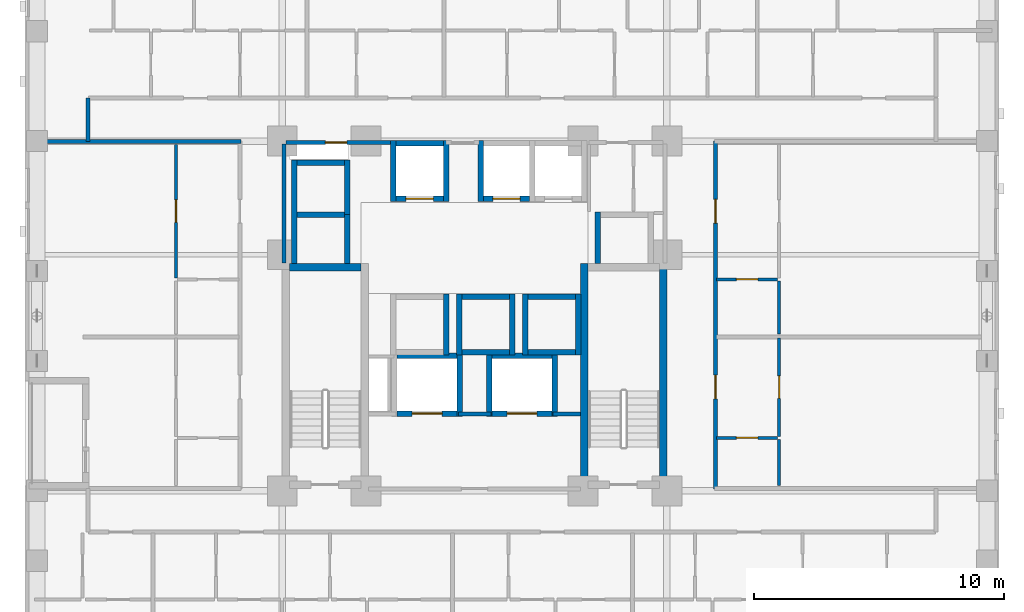
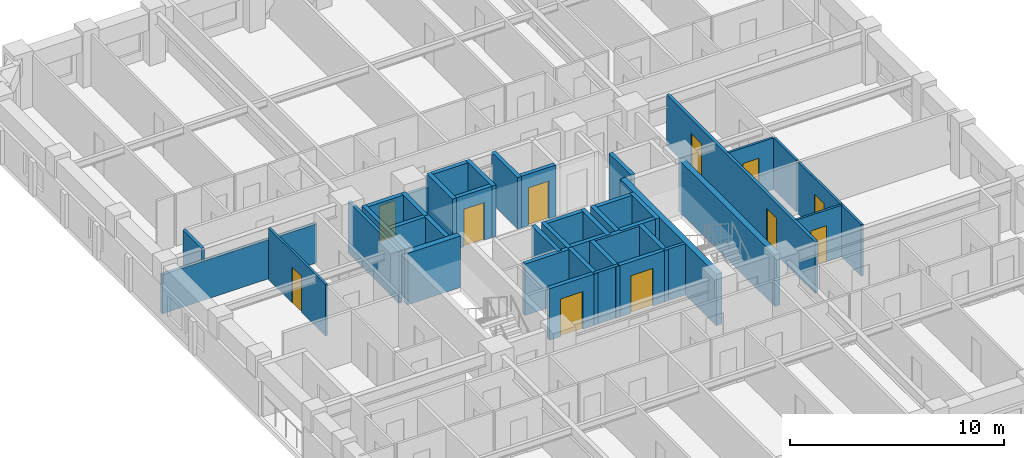
# One storey, part 5 of 14: 44 walls, 11 doors, 11 openings.
"""IFC4 building model written with IfcOpenShell, lengths in metres."""

from ifc_helpers import new_model, si_unit, derived_unit, direction, frame, frame_2d, origin, place, context, subcontext, project, spatial, rectangle, extrude, material, layer, layer_set, type_object, element, fill, save


model = new_model("IFC4")

# Units and contexts
model_context = context("Model", 3, precision=1e-05, world=origin(), true_north=direction((0.0, 1.0)))
body_context = subcontext(model_context, "Body", "Model", "MODEL_VIEW")
ifc_project = project(units=[si_unit("LENGTHUNIT", "METRE"), si_unit("AREAUNIT", "SQUARE_METRE"), si_unit("VOLUMEUNIT", "CUBIC_METRE"), si_unit("PLANEANGLEUNIT", "RADIAN"), si_unit("MASSUNIT", "GRAM", prefix="KILO"), derived_unit("THERMALTRANSMITTANCEUNIT", [(si_unit("MASSUNIT", "GRAM", prefix="KILO"), 1), (si_unit("TIMEUNIT", "SECOND"), -3), (si_unit("THERMODYNAMICTEMPERATUREUNIT", "KELVIN"), -1)])], contexts=[model_context])

# Site, building, storey
site_placement = place(None, origin())
site = spatial("IfcSite", under=ifc_project, at=site_placement, CompositionType="ELEMENT")
building_placement = place(site_placement, origin())
building = spatial("IfcBuilding", under=site, at=building_placement, Name="Korrvale Station Residences", CompositionType="ELEMENT")
storey_placement = place(building_placement, frame((0.0, 0.0, 54.60009765625)))
storey = spatial("IfcBuildingStorey", under=building, at=storey_placement, Name="L14", CompositionType="ELEMENT", Elevation=54.60009765625)

# Walls
ifc_material_1 = material(Name="Concrete C70/85", Category="concrete")
ifc_layer_1 = layer(ifc_material_1, 0.300048828125, Name="Concrete C70/85")
ifc_layer_set_1 = layer_set([ifc_layer_1], Name="Concrete C70/85")
wall_type_1 = type_object("IfcWallType", Name="WAL-CORE-300-C70", PredefinedType="SHEAR", material=ifc_layer_set_1)
wall_1_placement = place(storey_placement, frame((18.10009765625, 23.949951171875, 0.0), z_axis=(0.0, 0.0, 1.0), x_axis=(1.0, 0.0, 0.0)))
element("IfcWall", 1, at=wall_1_placement, inside=storey, type_object=wall_type_1, Name="L14 ST-1 Core Shear Wall North", PredefinedType="SHEAR", context=body_context, shape_type="SweptSolid", body=[
    extrude(rectangle(XDim=2.849853515625, YDim=0.300048828125, at=frame_2d((1.4248046875, 0.0))), origin(), (0.0, 0.0, 1.0), 2.93994140625),
])
for number, where, z_axis, x_axis, name in (
    (2, (29.89990234375, 15.10009765625, 0.0), (0.0, 0.0, 1.0), (0.0, 1.0, 0.0), "L14 ST-2 Core Shear Wall West"),
    (3, (33.050048828125, 15.10009765625, 0.0), (0.0, 0.0, 1.0), (0.0, 1.0, 0.0), "L14 ST-2 Core Shear Wall East"),
):
    element("IfcWall", number, at=place(storey_placement, frame(where, z_axis=z_axis, x_axis=x_axis)), inside=storey, type_object=wall_type_1, Name=name, PredefinedType="SHEAR", context=body_context, shape_type="SweptSolid", body=[
        extrude(rectangle(XDim=9.0, YDim=0.300048828125, at=frame_2d((4.5, 0.0))), origin(), (0.0, 0.0, 1.0), 2.93994140625),
    ])

# Wall, opening, door
ifc_material_2 = material(Name="Acoustic steel-stud gypsum board partition", Category="steel")
ifc_layer_2 = layer(ifc_material_2, 0.1201171875, Name="Acoustic steel-stud gypsum board partition")
ifc_layer_set_2 = layer_set([ifc_layer_2], Name="Acoustic steel-stud gypsum board partition")
wall_type_2 = type_object("IfcWallType", Name="WAL-PART-125", PredefinedType="PARTITIONING", material=ifc_layer_set_2)
wall_2_placement = place(storey_placement, frame((13.550048828125, 23.527099609375, 0.0), z_axis=(0.0, 0.0, 1.0), x_axis=(0.0, 1.0, 0.0)))
wall_2 = element("IfcWall", 4, at=wall_2_placement, inside=storey, type_object=wall_type_2, Name="L14 Suite Partition U10-V12", PredefinedType="PARTITIONING", context=body_context, shape_type="SweptSolid", body=[
    extrude(rectangle(XDim=5.3330078125, YDim=0.1201171875, at=frame_2d((2.66650390625, 0.0))), origin(), (0.0, 0.0, 1.0), 2.93994140625),
])
opening_1_placement = place(wall_2_placement, frame((2.216064453125, 0.0, 0.0)))
opening_1 = element("IfcOpeningElement", 5, at=opening_1_placement, cuts=wall_2, Name="Opening DI-900", PredefinedType="OPENING", context=body_context, shape_type="SweptSolid", body=[
    extrude(rectangle(XDim=0.89990234375, YDim=2.050048828125, at=frame_2d((0.449951171875, 1.02490234375))), frame((0.0, 0.070068359375, 0.0), z_axis=(0.0, -1.0, 0.0), x_axis=(1.0, 0.0, 0.0)), (0.0, 0.0, 1.0), 0.14013671875),
])
ifc_material_3 = material(Name="Painted solid-core timber interior room door", Category="wood")
door_type_1 = type_object("IfcDoorType", Name="DR-INT-900", OperationType="NOTDEFINED", PredefinedType="DOOR", material=ifc_material_3)
door_1_placement = place(opening_1_placement, origin())
door_1 = element("IfcDoor", 6, at=door_1_placement, inside=storey, type_object=door_type_1, Name="L14 Apartment 1BR L14-U10 Kitchen Door", OperationType="SINGLE_SWING_LEFT", OverallHeight=2.050048828125, OverallWidth=0.89990234375, PredefinedType="DOOR", context=body_context, shape_type="SweptSolid", body=[
    extrude(rectangle(XDim=0.89990234375, YDim=2.050048828125, at=frame_2d((0.449951171875, 1.02490234375))), frame((0.0, 0.02490234375, 0.0), z_axis=(0.0, -1.0, 0.0), x_axis=(1.0, 0.0, 0.0)), (0.0, 0.0, 1.0), 0.050048828125),
])
fill(opening_1, door_1)

wall_3_placement = place(storey_placement, frame((35.18994140625, 17.1201171875, 0.0), z_axis=(0.0, 0.0, 1.0), x_axis=(1.0, 0.0, 0.0)))
wall_3 = element("IfcWall", 7, at=wall_3_placement, inside=storey, type_object=wall_type_2, Name="L14 Suite Partition U11-H01", PredefinedType="PARTITIONING", context=body_context, shape_type="SweptSolid", body=[
    extrude(rectangle(XDim=2.449951171875, YDim=0.1201171875, at=frame_2d((1.22509765625, 0.0))), origin(), (0.0, 0.0, 1.0), 2.93994140625),
])
opening_2_placement = place(wall_3_placement, frame((0.794921875, 0.0, 0.0)))
opening_2 = element("IfcOpeningElement", 8, at=opening_2_placement, cuts=wall_3, Name="Opening DB-860", PredefinedType="OPENING", context=body_context, shape_type="SweptSolid", body=[
    extrude(rectangle(XDim=0.860107421875, YDim=2.050048828125, at=frame_2d((0.43017578125, 1.02490234375))), frame((0.0, 0.070068359375, 0.0), z_axis=(0.0, -1.0, 0.0), x_axis=(1.0, 0.0, 0.0)), (0.0, 0.0, 1.0), 0.14013671875),
])
ifc_material_4 = material(Name="Moisture-resistant solid-core bathroom door", Category="timber")
door_type_2 = type_object("IfcDoorType", Name="DR-BATH-860", OperationType="NOTDEFINED", PredefinedType="DOOR", material=ifc_material_4)
door_2_placement = place(opening_2_placement, origin())
door_2 = element("IfcDoor", 9, at=door_2_placement, inside=storey, type_object=door_type_2, Name="L14 Apartment 1BR L14-U11 Bathroom Door", OperationType="SINGLE_SWING_RIGHT", OverallHeight=2.050048828125, OverallWidth=0.860107421875, PredefinedType="DOOR", context=body_context, shape_type="SweptSolid", body=[
    extrude(rectangle(XDim=0.860107421875, YDim=2.050048828125, at=frame_2d((0.43017578125, 1.02490234375))), frame((0.0, 0.02490234375, 0.0), z_axis=(0.0, -1.0, 0.0), x_axis=(1.0, 0.0, 0.0)), (0.0, 0.0, 1.0), 0.050048828125),
])
fill(opening_2, door_2)

# Wall
wall_4_placement = place(storey_placement, frame((37.699951171875, 15.2099609375, 0.0), z_axis=(0.0, 0.0, 1.0), x_axis=(0.0, 1.0, 0.0)))
element("IfcWall", 10, at=wall_4_placement, inside=storey, type_object=wall_type_2, Name="L14 Suite Partition U11-V02", PredefinedType="PARTITIONING", context=body_context, shape_type="SweptSolid", body=[
    extrude(rectangle(XDim=1.85009765625, YDim=0.1201171875, at=frame_2d((0.925048828125, 0.0))), origin(), (0.0, 0.0, 1.0), 2.93994140625),
])

# Wall, opening, door
wall_5_placement = place(storey_placement, frame((37.699951171875, 17.179931640625, 0.0), z_axis=(0.0, 0.0, 1.0), x_axis=(0.0, 1.0, 0.0)))
wall_5 = element("IfcWall", 11, at=wall_5_placement, inside=storey, type_object=wall_type_2, Name="L14 Suite Partition U11-V12", PredefinedType="PARTITIONING", context=body_context, shape_type="SweptSolid", body=[
    extrude(rectangle(XDim=3.946044921875, YDim=0.1201171875, at=frame_2d((1.97314453125, 0.0))), origin(), (0.0, 0.0, 1.0), 2.93994140625),
])
opening_3_placement = place(wall_5_placement, frame((1.52294921875, 0.0, 0.0)))
opening_3 = element("IfcOpeningElement", 12, at=opening_3_placement, cuts=wall_5, Name="Opening DI-900", PredefinedType="OPENING", context=body_context, shape_type="SweptSolid", body=[
    extrude(rectangle(XDim=0.89990234375, YDim=2.050048828125, at=frame_2d((0.449951171875, 1.02490234375))), frame((0.0, 0.070068359375, 0.0), z_axis=(0.0, -1.0, 0.0), x_axis=(1.0, 0.0, 0.0)), (0.0, 0.0, 1.0), 0.14013671875),
])
door_3_placement = place(opening_3_placement, origin())
door_3 = element("IfcDoor", 13, at=door_3_placement, inside=storey, type_object=door_type_1, Name="L14 Apartment 1BR L14-U11 Kitchen Door", OperationType="SINGLE_SWING_LEFT", OverallHeight=2.050048828125, OverallWidth=0.89990234375, PredefinedType="DOOR", context=body_context, shape_type="SweptSolid", body=[
    extrude(rectangle(XDim=0.89990234375, YDim=2.050048828125, at=frame_2d((0.449951171875, 1.02490234375))), frame((0.0, 0.02490234375, 0.0), z_axis=(0.0, -1.0, 0.0), x_axis=(1.0, 0.0, 0.0)), (0.0, 0.0, 1.0), 0.050048828125),
])
fill(opening_3, door_3)

wall_6_placement = place(storey_placement, frame((35.18994140625, 23.467041015625, 0.0), z_axis=(0.0, 0.0, 1.0), x_axis=(1.0, 0.0, 0.0)))
wall_6 = element("IfcWall", 14, at=wall_6_placement, inside=storey, type_object=wall_type_2, Name="L14 Suite Partition U12-H01", PredefinedType="PARTITIONING", context=body_context, shape_type="SweptSolid", body=[
    extrude(rectangle(XDim=2.449951171875, YDim=0.1201171875, at=frame_2d((1.22509765625, 0.0))), origin(), (0.0, 0.0, 1.0), 2.93994140625),
])
opening_4_placement = place(wall_6_placement, frame((0.794921875, 0.0, 0.0)))
opening_4 = element("IfcOpeningElement", 15, at=opening_4_placement, cuts=wall_6, Name="Opening DB-860", PredefinedType="OPENING", context=body_context, shape_type="SweptSolid", body=[
    extrude(rectangle(XDim=0.860107421875, YDim=2.050048828125, at=frame_2d((0.43017578125, 1.02490234375))), frame((0.0, 0.070068359375, 0.0), z_axis=(0.0, -1.0, 0.0), x_axis=(1.0, 0.0, 0.0)), (0.0, 0.0, 1.0), 0.14013671875),
])
door_4_placement = place(opening_4_placement, origin())
door_4 = element("IfcDoor", 16, at=door_4_placement, inside=storey, type_object=door_type_2, Name="L14 Apartment 1BR L14-U12 Bathroom Door", OperationType="SINGLE_SWING_RIGHT", OverallHeight=2.050048828125, OverallWidth=0.860107421875, PredefinedType="DOOR", context=body_context, shape_type="SweptSolid", body=[
    extrude(rectangle(XDim=0.860107421875, YDim=2.050048828125, at=frame_2d((0.43017578125, 1.02490234375))), frame((0.0, 0.02490234375, 0.0), z_axis=(0.0, -1.0, 0.0), x_axis=(1.0, 0.0, 0.0)), (0.0, 0.0, 1.0), 0.050048828125),
])
fill(opening_4, door_4)

# Walls
wall_7_placement = place(storey_placement, frame((37.699951171875, 21.285888671875, 0.0), z_axis=(0.0, 0.0, 1.0), x_axis=(0.0, 1.0, 0.0)))
element("IfcWall", 17, at=wall_7_placement, inside=storey, type_object=wall_type_2, Name="L14 Suite Partition U12-V02", PredefinedType="PARTITIONING", context=body_context, shape_type="SweptSolid", body=[
    extrude(rectangle(XDim=2.12109375, YDim=0.1201171875, at=frame_2d((1.060546875, 0.0))), origin(), (0.0, 0.0, 1.0), 2.93994140625),
])
ifc_material_5 = material(Name="Fire-rated twin-stud gypsum and mineral wool shaftwall assembly", Category="gypsum")
ifc_layer_3 = layer(ifc_material_5, 0.159912109375, Name="Fire-rated twin-stud gypsum and mineral wool shaftwall assembly")
ifc_layer_set_3 = layer_set([ifc_layer_3], Name="Fire-rated twin-stud gypsum and mineral wool shaftwall assembly")
wall_type_3 = type_object("IfcWallType", Name="WAL-PART-200", PredefinedType="PARTITIONING", material=ifc_layer_set_3)
wall_8_placement = place(storey_placement, frame((24.85009765625, 18.080078125, 0.0), z_axis=(0.0, 0.0, 1.0), x_axis=(1.0, 0.0, 0.0)))
element("IfcWall", 18, at=wall_8_placement, inside=storey, type_object=wall_type_3, Name="L14 Core Partition CW-FFL-N2", PredefinedType="PARTITIONING", context=body_context, shape_type="SweptSolid", body=[
    extrude(rectangle(XDim=1.2998046875, YDim=0.159912109375, at=frame_2d((0.64990234375, 0.0))), origin(), (0.0, 0.0, 1.0), 2.93994140625),
])
wall_9_placement = place(storey_placement, frame((28.64990234375, 18.080078125, 0.0), z_axis=(0.0, 0.0, 1.0), x_axis=(1.0, 0.0, 0.0)))
element("IfcWall", 19, at=wall_9_placement, inside=storey, type_object=wall_type_3, Name="L14 Core Partition CW-FFL-N3", PredefinedType="PARTITIONING", context=body_context, shape_type="SweptSolid", body=[
    extrude(rectangle(XDim=1.10009765625, YDim=0.159912109375, at=frame_2d((0.550048828125, 0.0))), origin(), (0.0, 0.0, 1.0), 2.93994140625),
])
wall_10_placement = place(storey_placement, frame((17.8798828125, 24.1201171875, 0.0), z_axis=(0.0, 0.0, 1.0), x_axis=(0.0, 1.0, 0.0)))
element("IfcWall", 20, at=wall_10_placement, inside=storey, type_object=wall_type_3, Name="L14 Core Partition CW-W-N", PredefinedType="PARTITIONING", context=body_context, shape_type="SweptSolid", body=[
    extrude(rectangle(XDim=4.759765625, YDim=0.159912109375, at=frame_2d((2.3798828125, 0.0))), origin(), (0.0, 0.0, 1.0), 2.93994140625),
])

# Wall, opening, door
wall_11_placement = place(storey_placement, frame((17.9599609375, 28.949951171875, 0.0), z_axis=(0.0, 0.0, 1.0), x_axis=(1.0, 0.0, 0.0)))
wall_11 = element("IfcWall", 21, at=wall_11_placement, inside=storey, type_object=wall_type_3, Name="L14 Core Partition CW-NW", PredefinedType="PARTITIONING", context=body_context, shape_type="SweptSolid", body=[
    extrude(rectangle(XDim=4.2900390625, YDim=0.159912109375, at=frame_2d((2.14501953125, 0.0))), origin(), (0.0, 0.0, 1.0), 2.23193359375),
])
opening_5_placement = place(wall_11_placement, frame((1.570068359375, 0.0, 0.0)))
opening_5 = element("IfcOpeningElement", 22, at=opening_5_placement, cuts=wall_11, Name="Opening DB-860", PredefinedType="OPENING", context=body_context, shape_type="SweptSolid", body=[
    extrude(rectangle(XDim=0.860107421875, YDim=2.050048828125, at=frame_2d((0.43017578125, 1.02490234375))), frame((0.0, 0.08984375, 0.0), z_axis=(0.0, -1.0, 0.0), x_axis=(1.0, 0.0, 0.0)), (0.0, 0.0, 1.0), 0.179931640625),
])
door_5_placement = place(opening_5_placement, origin())
door_5 = element("IfcDoor", 23, at=door_5_placement, inside=storey, type_object=door_type_2, Name="L14 Electrical Riser Access Door", OperationType="SINGLE_SWING_RIGHT", OverallHeight=2.050048828125, OverallWidth=0.860107421875, PredefinedType="DOOR", context=body_context, shape_type="SweptSolid", body=[
    extrude(rectangle(XDim=0.860107421875, YDim=2.050048828125, at=frame_2d((0.43017578125, 1.02490234375))), frame((0.0, 0.02490234375, 0.0), z_axis=(0.0, -1.0, 0.0), x_axis=(1.0, 0.0, 0.0)), (0.0, 0.0, 1.0), 0.050048828125),
])
fill(opening_5, door_5)

# Walls
wall_12_placement = place(storey_placement, frame((10.02001953125, 28.97998046875, 0.0), z_axis=(0.0, 0.0, 1.0), x_axis=(0.0, 1.0, 0.0)))
element("IfcWall", 24, at=wall_12_placement, inside=storey, type_object=wall_type_3, Name="L14 Corridor North West Cap", PredefinedType="PARTITIONING", context=body_context, shape_type="SweptSolid", body=[
    extrude(rectangle(XDim=1.739990234375, YDim=0.159912109375, at=frame_2d((0.8701171875, 0.0))), origin(), (0.0, 0.0, 1.0), 2.93994140625),
])
wall_13_placement = place(storey_placement, frame((7.780029296875, 28.97998046875, 0.0), z_axis=(0.0, 0.0, 1.0), x_axis=(1.0, 0.0, 0.0)))
element("IfcWall", 25, at=wall_13_placement, inside=storey, type_object=wall_type_3, Name="L14 West Wing North Corridor Wall", PredefinedType="PARTITIONING", context=body_context, shape_type="SweptSolid", body=[
    extrude(rectangle(XDim=8.35986328125, YDim=0.159912109375, at=frame_2d((4.179931640625, 0.0))), origin(), (0.0, 0.0, 1.0), 2.23193359375),
])

# Wall, openings, doors
wall_14_placement = place(storey_placement, frame((35.14990234375, 15.070068359375, 0.0), z_axis=(0.0, 0.0, 1.0), x_axis=(0.0, 1.0, 0.0)))
wall_14 = element("IfcWall", 26, at=wall_14_placement, inside=storey, type_object=wall_type_3, Name="L14 Rated Corridor Wall E", PredefinedType="PARTITIONING", context=body_context, shape_type="SweptSolid", body=[
    extrude(rectangle(XDim=13.929931640625, YDim=0.159912109375, at=frame_2d((6.96484375, 0.0))), origin(), (0.0, 0.0, 1.0), 2.93994140625),
])
opening_6_placement = place(wall_14_placement, frame((3.60791015625, 0.0, 0.0)))
opening_6 = element("IfcOpeningElement", 27, at=opening_6_placement, cuts=wall_14, Name="Opening UD-950", PredefinedType="OPENING", context=body_context, shape_type="SweptSolid", body=[
    extrude(rectangle(XDim=0.949951171875, YDim=2.10009765625, at=frame_2d((0.47509765625, 1.050048828125))), frame((0.0, 0.08984375, 0.0), z_axis=(0.0, -1.0, 0.0), x_axis=(1.0, 0.0, 0.0)), (0.0, 0.0, 1.0), 0.179931640625),
])
opening_7_placement = place(wall_14_placement, frame((10.64892578125, 0.0, 0.0)))
opening_7 = element("IfcOpeningElement", 28, at=opening_7_placement, cuts=wall_14, Name="Opening UD-950", PredefinedType="OPENING", context=body_context, shape_type="SweptSolid", body=[
    extrude(rectangle(XDim=0.949951171875, YDim=2.10009765625, at=frame_2d((0.47509765625, 1.050048828125))), frame((0.0, 0.08984375, 0.0), z_axis=(0.0, -1.0, 0.0), x_axis=(1.0, 0.0, 0.0)), (0.0, 0.0, 1.0), 0.179931640625),
])
ifc_material_6 = material(Name="Solid-core acoustic oak apartment entrance door", Category="timber")
door_type_3 = type_object("IfcDoorType", Name="DR-UNIT-950", OperationType="NOTDEFINED", PredefinedType="DOOR", material=ifc_material_6)
door_6_placement = place(opening_6_placement, origin())
door_6 = element("IfcDoor", 29, at=door_6_placement, inside=storey, type_object=door_type_3, Name="L14 Apartment L14-U11 Entrance Door", OperationType="SINGLE_SWING_RIGHT", OverallHeight=2.10009765625, OverallWidth=0.949951171875, PredefinedType="DOOR", context=body_context, shape_type="SweptSolid", body=[
    extrude(rectangle(XDim=0.949951171875, YDim=2.10009765625, at=frame_2d((0.47509765625, 1.050048828125))), frame((0.0, 0.02490234375, 0.0), z_axis=(0.0, -1.0, 0.0), x_axis=(1.0, 0.0, 0.0)), (0.0, 0.0, 1.0), 0.050048828125),
])
fill(opening_6, door_6)
door_7_placement = place(opening_7_placement, origin())
door_7 = element("IfcDoor", 30, at=door_7_placement, inside=storey, type_object=door_type_3, Name="L14 Apartment L14-U12 Entrance Door", OperationType="SINGLE_SWING_LEFT", OverallHeight=2.10009765625, OverallWidth=0.949951171875, PredefinedType="DOOR", context=body_context, shape_type="SweptSolid", body=[
    extrude(rectangle(XDim=0.949951171875, YDim=2.10009765625, at=frame_2d((0.47509765625, 1.050048828125))), frame((0.0, 0.02490234375, 0.0), z_axis=(0.0, -1.0, 0.0), x_axis=(1.0, 0.0, 0.0)), (0.0, 0.0, 1.0), 0.050048828125),
])
fill(opening_7, door_7)

# Wall, opening, door
ifc_layer_4 = layer(ifc_material_1, 0.219970703125, Name="Concrete C70/85")
ifc_layer_set_4 = layer_set([ifc_layer_4], Name="Concrete C70/85")
wall_type_4 = type_object("IfcWallType", Name="WAL-SHAFT-220-C70", PredefinedType="SHEAR", material=ifc_layer_set_4)
wall_15_placement = place(storey_placement, frame((22.35009765625, 26.68994140625, 0.0), z_axis=(0.0, 0.0, 1.0), x_axis=(1.0, 0.0, 0.0)))
wall_15 = element("IfcWall", 31, at=wall_15_placement, inside=storey, type_object=wall_type_4, Name="L14 Elevator PL-1 Hoistway Wall South", PredefinedType="SHEAR", context=body_context, shape_type="SweptSolid", body=[
    extrude(rectangle(XDim=1.89990234375, YDim=0.219970703125, at=frame_2d((0.949951171875, 0.0))), origin(), (0.0, 0.0, 1.0), 2.93994140625),
])
opening_8_placement = place(wall_15_placement, frame((0.39990234375, 0.0, 0.0)))
opening_8 = element("IfcOpeningElement", 32, at=opening_8_placement, cuts=wall_15, Name="Opening LD-1100", PredefinedType="OPENING", context=body_context, shape_type="SweptSolid", body=[
    extrude(rectangle(XDim=1.10009765625, YDim=2.14990234375, at=frame_2d((0.550048828125, 1.074951171875))), frame((0.0, 0.1201171875, 0.0), z_axis=(0.0, -1.0, 0.0), x_axis=(1.0, 0.0, 0.0)), (0.0, 0.0, 1.0), 0.239990234375),
])
ifc_material_7 = material(Name="Brushed stainless-steel elevator landing sliding door", Category="steel")
door_type_4 = type_object("IfcDoorType", Name="DR-LIFT-1100", OperationType="SLIDING_TO_LEFT", PredefinedType="DOOR", material=ifc_material_7)
door_8_placement = place(opening_8_placement, origin())
door_8 = element("IfcDoor", 33, at=door_8_placement, inside=storey, type_object=door_type_4, Name="L14 Elevator PL-1 Sliding Landing Door", OperationType="SLIDING_TO_LEFT", OverallHeight=2.14990234375, OverallWidth=1.10009765625, PredefinedType="DOOR", context=body_context, shape_type="SweptSolid", body=[
    extrude(rectangle(XDim=1.10009765625, YDim=2.14990234375, at=frame_2d((0.550048828125, 1.074951171875))), frame((0.0, 0.02490234375, 0.0), z_axis=(0.0, -1.0, 0.0), x_axis=(1.0, 0.0, 0.0)), (0.0, 0.0, 1.0), 0.050048828125),
])
fill(opening_8, door_8)

# Walls
wall_16_placement = place(storey_placement, frame((22.35009765625, 28.909912109375, 0.0), z_axis=(0.0, 0.0, 1.0), x_axis=(1.0, 0.0, 0.0)))
element("IfcWall", 34, at=wall_16_placement, inside=storey, type_object=wall_type_4, Name="L14 Elevator PL-1 Hoistway Wall North", PredefinedType="SHEAR", context=body_context, shape_type="SweptSolid", body=[
    extrude(rectangle(XDim=1.89990234375, YDim=0.219970703125, at=frame_2d((0.949951171875, 0.0))), origin(), (0.0, 0.0, 1.0), 2.93994140625),
])
for number, where, z_axis, x_axis, name in (
    (35, (22.239990234375, 26.580078125, 0.0), (0.0, 0.0, 1.0), (0.0, 1.0, 0.0), "L14 Elevator PL-1 Hoistway Wall West"),
    (36, (24.360107421875, 26.580078125, 0.0), (0.0, 0.0, 1.0), (0.0, 1.0, 0.0), "L14 Elevator PL-1 Hoistway Wall East"),
):
    element("IfcWall", number, at=place(storey_placement, frame(where, z_axis=z_axis, x_axis=x_axis)), inside=storey, type_object=wall_type_4, Name=name, PredefinedType="SHEAR", context=body_context, shape_type="SweptSolid", body=[
        extrude(rectangle(XDim=2.43994140625, YDim=0.219970703125, at=frame_2d((1.219970703125, 0.0))), origin(), (0.0, 0.0, 1.0), 2.93994140625),
    ])

# Wall, opening, door
wall_17_placement = place(storey_placement, frame((25.85009765625, 26.68994140625, 0.0), z_axis=(0.0, 0.0, 1.0), x_axis=(1.0, 0.0, 0.0)))
wall_17 = element("IfcWall", 37, at=wall_17_placement, inside=storey, type_object=wall_type_4, Name="L14 Elevator PL-2 Hoistway Wall South", PredefinedType="SHEAR", context=body_context, shape_type="SweptSolid", body=[
    extrude(rectangle(XDim=1.85986328125, YDim=0.219970703125, at=frame_2d((0.929931640625, 0.0))), origin(), (0.0, 0.0, 1.0), 2.93994140625),
])
opening_9_placement = place(wall_17_placement, frame((0.3798828125, 0.0, 0.0)))
opening_9 = element("IfcOpeningElement", 38, at=opening_9_placement, cuts=wall_17, Name="Opening LD-1100", PredefinedType="OPENING", context=body_context, shape_type="SweptSolid", body=[
    extrude(rectangle(XDim=1.10009765625, YDim=2.14990234375, at=frame_2d((0.550048828125, 1.074951171875))), frame((0.0, 0.1201171875, 0.0), z_axis=(0.0, -1.0, 0.0), x_axis=(1.0, 0.0, 0.0)), (0.0, 0.0, 1.0), 0.239990234375),
])
door_9_placement = place(opening_9_placement, origin())
door_9 = element("IfcDoor", 39, at=door_9_placement, inside=storey, type_object=door_type_4, Name="L14 Elevator PL-2 Sliding Landing Door", OperationType="SLIDING_TO_LEFT", OverallHeight=2.14990234375, OverallWidth=1.10009765625, PredefinedType="DOOR", context=body_context, shape_type="SweptSolid", body=[
    extrude(rectangle(XDim=1.10009765625, YDim=2.14990234375, at=frame_2d((0.550048828125, 1.074951171875))), frame((0.0, 0.02490234375, 0.0), z_axis=(0.0, -1.0, 0.0), x_axis=(1.0, 0.0, 0.0)), (0.0, 0.0, 1.0), 0.050048828125),
])
fill(opening_9, door_9)

# Walls
wall_18_placement = place(storey_placement, frame((25.739990234375, 26.580078125, 0.0), z_axis=(0.0, 0.0, 1.0), x_axis=(0.0, 1.0, 0.0)))
element("IfcWall", 40, at=wall_18_placement, inside=storey, type_object=wall_type_4, Name="L14 Elevator PL-2 Hoistway Wall West", PredefinedType="SHEAR", context=body_context, shape_type="SweptSolid", body=[
    extrude(rectangle(XDim=2.43994140625, YDim=0.219970703125, at=frame_2d((1.219970703125, 0.0))), origin(), (0.0, 0.0, 1.0), 2.93994140625),
])
wall_19_placement = place(storey_placement, frame((24.360107421875, 20.429931640625, 0.0), z_axis=(0.0, 0.0, 1.0), x_axis=(0.0, 1.0, 0.0)))
element("IfcWall", 41, at=wall_19_placement, inside=storey, type_object=wall_type_4, Name="L14 Elevator PM-1 Hoistway Wall East", PredefinedType="SHEAR", context=body_context, shape_type="SweptSolid", body=[
    extrude(rectangle(XDim=2.440185546875, YDim=0.219970703125, at=frame_2d((1.22021484375, 0.0))), origin(), (0.0, 0.0, 1.0), 2.93994140625),
])
for number, where, z_axis, x_axis, name in (
    (42, (25.0, 20.5400390625, 0.0), (0.0, 0.0, 1.0), (1.0, 0.0, 0.0), "L14 Elevator PM-2 Hoistway Wall South"),
    (43, (25.0, 22.760009765625, 0.0), (0.0, 0.0, 1.0), (1.0, 0.0, 0.0), "L14 Elevator PM-2 Hoistway Wall North"),
):
    element("IfcWall", number, at=place(storey_placement, frame(where, z_axis=z_axis, x_axis=x_axis)), inside=storey, type_object=wall_type_4, Name=name, PredefinedType="SHEAR", context=body_context, shape_type="SweptSolid", body=[
        extrude(rectangle(XDim=1.89990234375, YDim=0.219970703125, at=frame_2d((0.949951171875, 0.0))), origin(), (0.0, 0.0, 1.0), 2.93994140625),
    ])
for number, where, z_axis, x_axis, name in (
    (44, (24.889892578125, 20.429931640625, 0.0), (0.0, 0.0, 1.0), (0.0, 1.0, 0.0), "L14 Elevator PM-2 Hoistway Wall West"),
    (45, (27.010009765625, 20.429931640625, 0.0), (0.0, 0.0, 1.0), (0.0, 1.0, 0.0), "L14 Elevator PM-2 Hoistway Wall East"),
):
    element("IfcWall", number, at=place(storey_placement, frame(where, z_axis=z_axis, x_axis=x_axis)), inside=storey, type_object=wall_type_4, Name=name, PredefinedType="SHEAR", context=body_context, shape_type="SweptSolid", body=[
        extrude(rectangle(XDim=2.440185546875, YDim=0.219970703125, at=frame_2d((1.22021484375, 0.0))), origin(), (0.0, 0.0, 1.0), 2.93994140625),
    ])
for number, where, z_axis, x_axis, name in (
    (46, (27.64990234375, 20.5400390625, 0.0), (0.0, 0.0, 1.0), (1.0, 0.0, 0.0), "L14 Elevator PM-3 Hoistway Wall South"),
    (47, (27.64990234375, 22.760009765625, 0.0), (0.0, 0.0, 1.0), (1.0, 0.0, 0.0), "L14 Elevator PM-3 Hoistway Wall North"),
):
    element("IfcWall", number, at=place(storey_placement, frame(where, z_axis=z_axis, x_axis=x_axis)), inside=storey, type_object=wall_type_4, Name=name, PredefinedType="SHEAR", context=body_context, shape_type="SweptSolid", body=[
        extrude(rectangle(XDim=1.900146484375, YDim=0.219970703125, at=frame_2d((0.9501953125, 0.0))), origin(), (0.0, 0.0, 1.0), 2.93994140625),
    ])
for number, where, z_axis, x_axis, name in (
    (48, (27.5400390625, 20.429931640625, 0.0), (0.0, 0.0, 1.0), (0.0, 1.0, 0.0), "L14 Elevator PM-3 Hoistway Wall West"),
    (49, (29.659912109375, 20.429931640625, 0.0), (0.0, 0.0, 1.0), (0.0, 1.0, 0.0), "L14 Elevator PM-3 Hoistway Wall East"),
):
    element("IfcWall", number, at=place(storey_placement, frame(where, z_axis=z_axis, x_axis=x_axis)), inside=storey, type_object=wall_type_4, Name=name, PredefinedType="SHEAR", context=body_context, shape_type="SweptSolid", body=[
        extrude(rectangle(XDim=2.440185546875, YDim=0.219970703125, at=frame_2d((1.22021484375, 0.0))), origin(), (0.0, 0.0, 1.0), 2.93994140625),
    ])
wall_20_placement = place(storey_placement, frame((18.2900390625, 24.10009765625, 0.0), z_axis=(0.0, 0.0, 1.0), x_axis=(0.0, 1.0, 0.0)))
element("IfcWall", 50, at=wall_20_placement, inside=storey, type_object=wall_type_4, Name="L14 Elevator PH-1 Hoistway Wall West", PredefinedType="SHEAR", context=body_context, shape_type="SweptSolid", body=[
    extrude(rectangle(XDim=4.139892578125, YDim=0.219970703125, at=frame_2d((2.06982421875, 0.0))), origin(), (0.0, 0.0, 1.0), 2.93994140625),
])
wall_21_placement = place(storey_placement, frame((20.409912109375, 24.10009765625, 0.0), z_axis=(0.0, 0.0, 1.0), x_axis=(0.0, 1.0, 0.0)))
element("IfcWall", 51, at=wall_21_placement, inside=storey, type_object=wall_type_4, Name="L14 Elevator PH-1 Hoistway Wall East", PredefinedType="SHEAR", context=body_context, shape_type="SweptSolid", body=[
    extrude(rectangle(XDim=1.9599609375, YDim=0.219970703125, at=frame_2d((0.97998046875, 0.0))), origin(), (0.0, 0.0, 1.0), 2.93994140625),
])
for number, where, z_axis, x_axis, name in (
    (52, (18.39990234375, 26.06005859375, 0.0), (0.0, 0.0, 1.0), (1.0, 0.0, 0.0), "L14 Elevator PH-2 Hoistway Wall South"),
    (53, (18.39990234375, 28.1298828125, 0.0), (0.0, 0.0, 1.0), (1.0, 0.0, 0.0), "L14 Elevator PH-2 Hoistway Wall North"),
):
    element("IfcWall", number, at=place(storey_placement, frame(where, z_axis=z_axis, x_axis=x_axis)), inside=storey, type_object=wall_type_4, Name=name, PredefinedType="SHEAR", context=body_context, shape_type="SweptSolid", body=[
        extrude(rectangle(XDim=1.900146484375, YDim=0.219970703125, at=frame_2d((0.9501953125, 0.0))), origin(), (0.0, 0.0, 1.0), 2.93994140625),
    ])
wall_22_placement = place(storey_placement, frame((20.409912109375, 26.06005859375, 0.0), z_axis=(0.0, 0.0, 1.0), x_axis=(0.0, 1.0, 0.0)))
element("IfcWall", 54, at=wall_22_placement, inside=storey, type_object=wall_type_4, Name="L14 Elevator PH-2 Hoistway Wall East", PredefinedType="SHEAR", context=body_context, shape_type="SweptSolid", body=[
    extrude(rectangle(XDim=2.179931640625, YDim=0.219970703125, at=frame_2d((1.08984375, 0.0))), origin(), (0.0, 0.0, 1.0), 2.93994140625),
])
wall_23_placement = place(storey_placement, frame((30.43994140625, 24.10009765625, 0.0), z_axis=(0.0, 0.0, 1.0), x_axis=(0.0, 1.0, 0.0)))
element("IfcWall", 55, at=wall_23_placement, inside=storey, type_object=wall_type_4, Name="L14 Elevator PH-3 Hoistway Wall West", PredefinedType="SHEAR", context=body_context, shape_type="SweptSolid", body=[
    extrude(rectangle(XDim=2.06982421875, YDim=0.219970703125, at=frame_2d((1.034912109375, 0.0))), origin(), (0.0, 0.0, 1.0), 2.93994140625),
])

# Wall, opening, door
wall_24_placement = place(storey_placement, frame((22.39990234375, 18.090087890625, 0.0), z_axis=(0.0, 0.0, 1.0), x_axis=(1.0, 0.0, 0.0)))
wall_24 = element("IfcWall", 56, at=wall_24_placement, inside=storey, type_object=wall_type_4, Name="L14 Elevator FFL-1 Hoistway Wall South", PredefinedType="SHEAR", context=body_context, shape_type="SweptSolid", body=[
    extrude(rectangle(XDim=2.400146484375, YDim=0.219970703125, at=frame_2d((1.2001953125, 0.0))), origin(), (0.0, 0.0, 1.0), 2.93994140625),
])
opening_10_placement = place(wall_24_placement, frame((0.60009765625, 0.0, 0.0)))
opening_10 = element("IfcOpeningElement", 57, at=opening_10_placement, cuts=wall_24, Name="Opening LD-FF1200", PredefinedType="OPENING", context=body_context, shape_type="SweptSolid", body=[
    extrude(rectangle(XDim=1.199951171875, YDim=2.14990234375, at=frame_2d((0.60009765625, 1.074951171875))), frame((0.0, 0.1201171875, 0.0), z_axis=(0.0, -1.0, 0.0), x_axis=(1.0, 0.0, 0.0)), (0.0, 0.0, 1.0), 0.239990234375),
])
ifc_material_8 = material(Name="Stainless-steel firefighter elevator landing sliding door", Category="steel")
door_type_5 = type_object("IfcDoorType", Name="DR-LIFT-FF1200", OperationType="SLIDING_TO_LEFT", PredefinedType="DOOR", material=ifc_material_8)
door_10_placement = place(opening_10_placement, origin())
door_10 = element("IfcDoor", 58, at=door_10_placement, inside=storey, type_object=door_type_5, Name="L14 Elevator FFL-1 Sliding Landing Door", OperationType="SLIDING_TO_LEFT", OverallHeight=2.14990234375, OverallWidth=1.199951171875, PredefinedType="DOOR", context=body_context, shape_type="SweptSolid", body=[
    extrude(rectangle(XDim=1.199951171875, YDim=2.14990234375, at=frame_2d((0.60009765625, 1.074951171875))), frame((0.0, 0.02490234375, 0.0), z_axis=(0.0, -1.0, 0.0), x_axis=(1.0, 0.0, 0.0)), (0.0, 0.0, 1.0), 0.050048828125),
])
fill(opening_10, door_10)

# Walls
wall_25_placement = place(storey_placement, frame((22.39990234375, 20.409912109375, 0.0), z_axis=(0.0, 0.0, 1.0), x_axis=(1.0, 0.0, 0.0)))
element("IfcWall", 59, at=wall_25_placement, inside=storey, type_object=wall_type_4, Name="L14 Elevator FFL-1 Hoistway Wall North", PredefinedType="SHEAR", context=body_context, shape_type="SweptSolid", body=[
    extrude(rectangle(XDim=2.400146484375, YDim=0.219970703125, at=frame_2d((1.2001953125, 0.0))), origin(), (0.0, 0.0, 1.0), 2.93994140625),
])
wall_26_placement = place(storey_placement, frame((24.909912109375, 17.97998046875, 0.0), z_axis=(0.0, 0.0, 1.0), x_axis=(0.0, 1.0, 0.0)))
element("IfcWall", 60, at=wall_26_placement, inside=storey, type_object=wall_type_4, Name="L14 Elevator FFL-1 Hoistway Wall East", PredefinedType="SHEAR", context=body_context, shape_type="SweptSolid", body=[
    extrude(rectangle(XDim=2.5400390625, YDim=0.219970703125, at=frame_2d((1.27001953125, 0.0))), origin(), (0.0, 0.0, 1.0), 2.93994140625),
])

# Wall, opening, door
wall_27_placement = place(storey_placement, frame((26.199951171875, 18.090087890625, 0.0), z_axis=(0.0, 0.0, 1.0), x_axis=(1.0, 0.0, 0.0)))
wall_27 = element("IfcWall", 61, at=wall_27_placement, inside=storey, type_object=wall_type_4, Name="L14 Elevator FFL-2 Hoistway Wall South", PredefinedType="SHEAR", context=body_context, shape_type="SweptSolid", body=[
    extrude(rectangle(XDim=2.400146484375, YDim=0.219970703125, at=frame_2d((1.2001953125, 0.0))), origin(), (0.0, 0.0, 1.0), 2.93994140625),
])
opening_11_placement = place(wall_27_placement, frame((0.60009765625, 0.0, 0.0)))
opening_11 = element("IfcOpeningElement", 62, at=opening_11_placement, cuts=wall_27, Name="Opening LD-FF1200", PredefinedType="OPENING", context=body_context, shape_type="SweptSolid", body=[
    extrude(rectangle(XDim=1.199951171875, YDim=2.14990234375, at=frame_2d((0.60009765625, 1.074951171875))), frame((0.0, 0.1201171875, 0.0), z_axis=(0.0, -1.0, 0.0), x_axis=(1.0, 0.0, 0.0)), (0.0, 0.0, 1.0), 0.239990234375),
])
door_11_placement = place(opening_11_placement, origin())
door_11 = element("IfcDoor", 63, at=door_11_placement, inside=storey, type_object=door_type_5, Name="L14 Elevator FFL-2 Sliding Landing Door", OperationType="SLIDING_TO_LEFT", OverallHeight=2.14990234375, OverallWidth=1.199951171875, PredefinedType="DOOR", context=body_context, shape_type="SweptSolid", body=[
    extrude(rectangle(XDim=1.199951171875, YDim=2.14990234375, at=frame_2d((0.60009765625, 1.074951171875))), frame((0.0, 0.02490234375, 0.0), z_axis=(0.0, -1.0, 0.0), x_axis=(1.0, 0.0, 0.0)), (0.0, 0.0, 1.0), 0.050048828125),
])
fill(opening_11, door_11)

# Walls
wall_28_placement = place(storey_placement, frame((26.199951171875, 20.409912109375, 0.0), z_axis=(0.0, 0.0, 1.0), x_axis=(1.0, 0.0, 0.0)))
element("IfcWall", 64, at=wall_28_placement, inside=storey, type_object=wall_type_4, Name="L14 Elevator FFL-2 Hoistway Wall North", PredefinedType="SHEAR", context=body_context, shape_type="SweptSolid", body=[
    extrude(rectangle(XDim=2.400146484375, YDim=0.219970703125, at=frame_2d((1.2001953125, 0.0))), origin(), (0.0, 0.0, 1.0), 2.93994140625),
])
for number, where, z_axis, x_axis, name in (
    (65, (26.090087890625, 17.97998046875, 0.0), (0.0, 0.0, 1.0), (0.0, 1.0, 0.0), "L14 Elevator FFL-2 Hoistway Wall West"),
    (66, (28.7099609375, 17.97998046875, 0.0), (0.0, 0.0, 1.0), (0.0, 1.0, 0.0), "L14 Elevator FFL-2 Hoistway Wall East"),
):
    element("IfcWall", number, at=place(storey_placement, frame(where, z_axis=z_axis, x_axis=x_axis)), inside=storey, type_object=wall_type_4, Name=name, PredefinedType="SHEAR", context=body_context, shape_type="SweptSolid", body=[
        extrude(rectangle(XDim=2.5400390625, YDim=0.219970703125, at=frame_2d((1.27001953125, 0.0))), origin(), (0.0, 0.0, 1.0), 2.93994140625),
    ])

save(model, "model.ifc")
